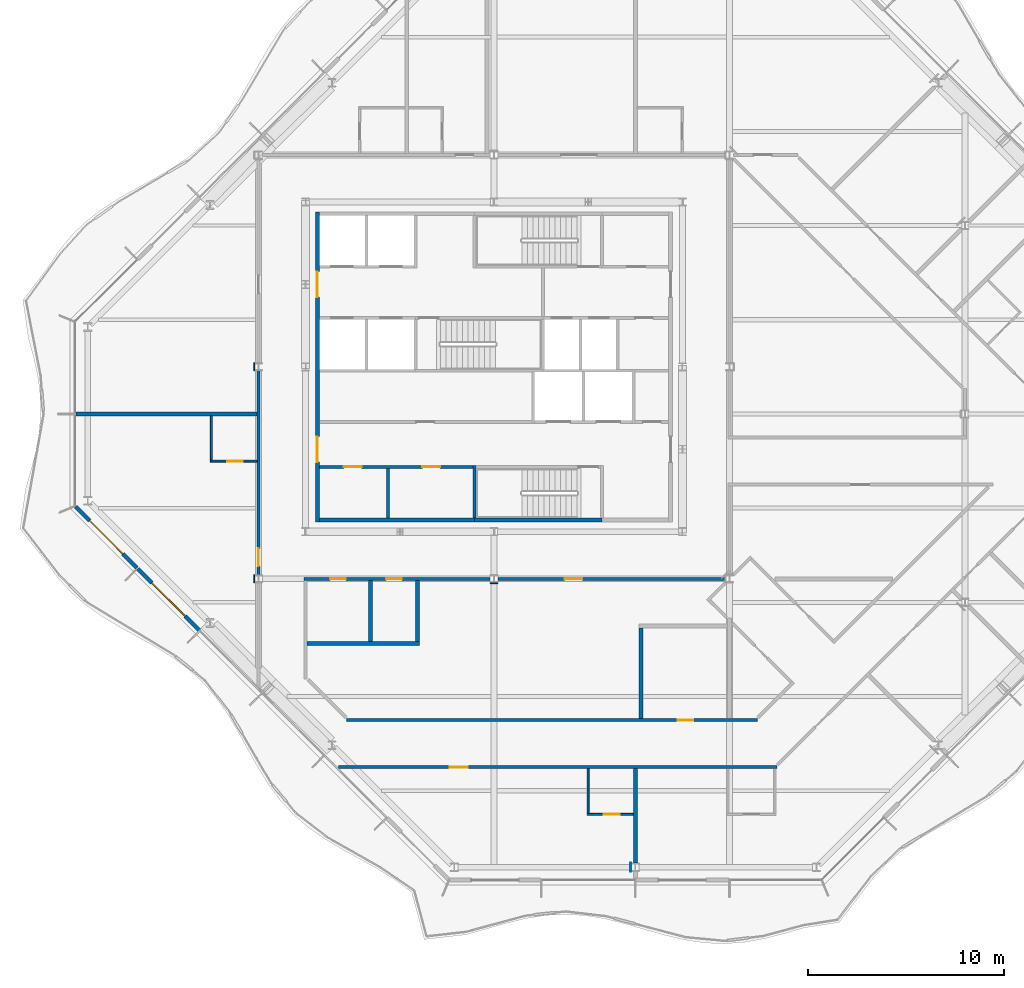
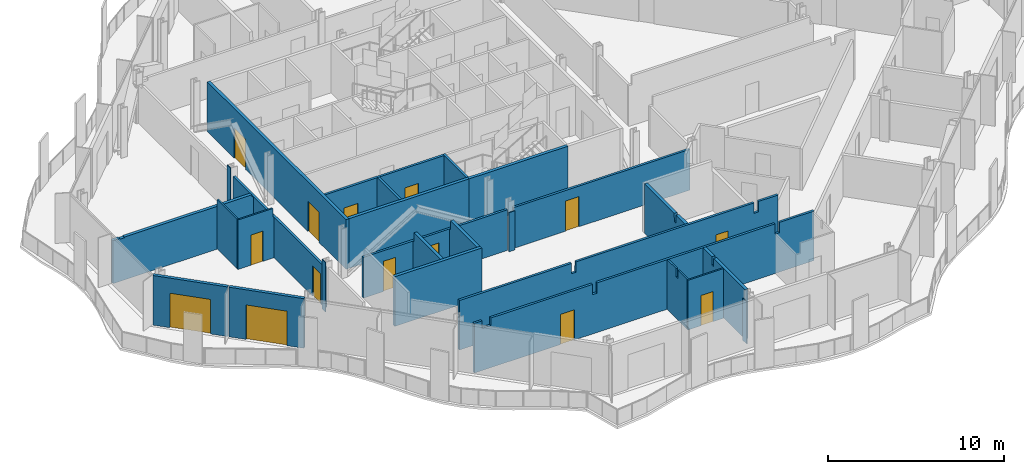
# One storey, part 7 of 17: 27 walls, 14 doors, 14 openings.
"""IFC4 building model written with IfcOpenShell, lengths in metres."""

import ifcopenshell
import ifcopenshell.guid

model = None  # the IFC model being written
_history = None  # IfcOwnerHistory: only IFC2X3 demands one
_inside = {}  # id of a spatial element -> (the spatial element, [elements in it])
_under = {}  # id of a project, library or spatial element -> (it, [spatial elements below it])
_declared = {}  # id of a project -> (the project, [libraries it declares])
_typed = {}  # id of a type object -> (the type object, [elements of that type])
_made_of = {}  # id of a material, layer set ... -> (it, [elements and type objects made of it])


def new_model(schema):
    """Start an empty IFC model of exactly this schema.

    Asked for "IFC4X3", IfcOpenShell would pick the latest addendum, in which some entities
    have other attributes; the version numbers below select the first issue.
    IFC2X3 requires an IfcOwnerHistory on every rooted entity: one is made here for all.
    """
    global model, _history
    if schema == "IFC4X3":
        model = ifcopenshell.file(schema_version=(4, 3, 0, 0))
    else:
        model = ifcopenshell.file(schema=schema)
    _inside.clear()
    _under.clear()
    _declared.clear()
    _typed.clear()
    _made_of.clear()
    _history = None
    if model.schema == "IFC2X3":
        org = make("IfcOrganization", Name="unknown")
        user = make(
            "IfcPersonAndOrganization",
            ThePerson=make("IfcPerson", FamilyName="unknown"),
            TheOrganization=org,
        )
        app = make(
            "IfcApplication",
            ApplicationDeveloper=org,
            Version="unknown",
            ApplicationFullName="unknown",
            ApplicationIdentifier="unknown",
        )
        _history = make(
            "IfcOwnerHistory",
            OwningUser=user,
            OwningApplication=app,
            ChangeAction="ADDED",
            CreationDate=0,
        )
    return model


def make(cls, **values):
    """One entity of the class cls with the attributes given. An attribute that is None is left unset."""
    return model.create_entity(
        cls, **{name: value for name, value in values.items() if value is not None}
    )


def rooted(cls, **values):
    """An entity with a GlobalId (a new one), such as an element, a storey or a relation."""
    return make(cls, GlobalId=ifcopenshell.guid.new(), OwnerHistory=_history, **values)


def si_unit(unit_type, name, prefix=None):
    """IfcSIUnit, for example si_unit("LENGTHUNIT", "METRE", prefix="MILLI")."""
    return make("IfcSIUnit", UnitType=unit_type, Prefix=prefix, Name=name)


def assignment(units):
    """IfcUnitAssignment: the units of a project."""
    return None if units is None else make("IfcUnitAssignment", Units=units)


def point(xyz):
    """IfcCartesianPoint."""
    return None if xyz is None else make("IfcCartesianPoint", Coordinates=xyz)


def direction(xyz):
    """IfcDirection."""
    return None if xyz is None else make("IfcDirection", DirectionRatios=xyz)


def frame(location, z_axis=None, x_axis=None):
    """IfcAxis2Placement3D, a coordinate frame: its origin and axes. An axis left out is left unset."""
    return make(
        "IfcAxis2Placement3D",
        Location=point(location),
        Axis=direction(z_axis),
        RefDirection=direction(x_axis),
    )


def frame_2d(location, x_axis=None):
    """IfcAxis2Placement2D, a coordinate frame in the plane: its origin and x axis."""
    return make(
        "IfcAxis2Placement2D", Location=point(location), RefDirection=direction(x_axis)
    )


def origin():
    """The frame at (0, 0, 0) with its axes left unset."""
    return frame((0.0, 0.0, 0.0))


def place(relative_to, where):
    """IfcLocalPlacement: puts the frame where relative to a parent placement (None: the world)."""
    return make(
        "IfcLocalPlacement", PlacementRelTo=relative_to, RelativePlacement=where
    )


def context(
    kind, dimensions, precision=None, world=None, true_north=None, identifier=None
):
    """IfcGeometricRepresentationContext, for example the 3D "Model" context."""
    return make(
        "IfcGeometricRepresentationContext",
        ContextIdentifier=identifier,
        ContextType=kind,
        CoordinateSpaceDimension=dimensions,
        Precision=precision,
        WorldCoordinateSystem=world,
        TrueNorth=true_north,
    )


def subcontext(parent, identifier, kind, view, scale=None):
    """IfcGeometricRepresentationSubContext, for example "Body" below "Model"."""
    return make(
        "IfcGeometricRepresentationSubContext",
        ContextIdentifier=identifier,
        ContextType=kind,
        ParentContext=parent,
        TargetScale=scale,
        TargetView=view,
    )


def project(units=None, contexts=None):
    """IfcProject with its units and contexts."""
    return rooted(
        "IfcProject",
        Name="project",
        RepresentationContexts=contexts,
        UnitsInContext=assignment(units),
    )


def spatial(cls, under=None, at=None, **own):
    """A site, building, storey or space (cls), placed at a placement, below another one or the project."""
    s = rooted(cls, ObjectPlacement=at, **own)
    if under is not None:
        _under.setdefault(under.id(), (under, []))[1].append(s)
    return s


def polyline(points):
    """IfcPolyline through the points."""
    return make("IfcPolyline", Points=[point(p) for p in points])


def profile(cls, at=None, kind="AREA", **sizes):
    """A parametric profile (cls). Its sizes go by their IFC names, for example OverallWidth=200.0."""
    return make(cls, ProfileType=kind, Position=at, **sizes)


def rectangle(**sizes):
    """IfcRectangleProfileDef."""
    return profile("IfcRectangleProfileDef", **sizes)


def outline(outer, holes=None, kind="AREA"):
    """IfcArbitraryClosedProfileDef: a profile drawn as a closed curve; with holes, ...WithVoids."""
    if holes is None:
        return make("IfcArbitraryClosedProfileDef", ProfileType=kind, OuterCurve=outer)
    return make(
        "IfcArbitraryProfileDefWithVoids",
        ProfileType=kind,
        OuterCurve=outer,
        InnerCurves=holes,
    )


def extrude(swept, where, along, depth):
    """IfcExtrudedAreaSolid: the profile swept, set in the frame where, extruded along a direction by depth."""
    return make(
        "IfcExtrudedAreaSolid",
        SweptArea=swept,
        Position=where,
        ExtrudedDirection=direction(along),
        Depth=depth,
    )


def shape(context_of_items, identifier, shape_type, items):
    """IfcShapeRepresentation: the items that make up one representation, for example the "Body"."""
    return make(
        "IfcShapeRepresentation",
        ContextOfItems=context_of_items,
        RepresentationIdentifier=identifier,
        RepresentationType=shape_type,
        Items=items,
    )


def material(Name=None, Category=None):
    """IfcMaterial."""
    return make("IfcMaterial", Name=Name, Category=Category)


def layer(
    of_material, thickness, ventilated=None, Name=None, Category=None, Priority=None
):
    """IfcMaterialLayer: one layer of a wall or slab, of a material (None: an air gap)."""
    return make(
        "IfcMaterialLayer",
        Material=of_material,
        LayerThickness=thickness,
        IsVentilated=ventilated,
        Name=Name,
        Category=Category,
        Priority=Priority,
    )


def layer_set(layers, Name=None):
    """IfcMaterialLayerSet."""
    return make("IfcMaterialLayerSet", MaterialLayers=layers, LayerSetName=Name)


def made_of(thing, what):
    """Note that an element or type object is made of a material, layer set ...; save() writes the relation."""
    if what is not None:
        _made_of.setdefault(what.id(), (what, []))[1].append(thing)
    return thing


def type_object(cls, material=None, **own):
    """A type object (cls), such as IfcWallType, which elements share."""
    return made_of(rooted(cls, **own), material)


def element(
    cls,
    number,
    at=None,
    inside=None,
    cuts=None,
    type_object=None,
    material=None,
    context=None,
    identifier="Body",
    shape_type=None,
    held_by="IfcProductDefinitionShape",
    body=None,
    shapes=None,
    **own,
):
    """One element of the class cls, such as IfcWall. Its Tag is "e" and its number.

    at: its placement. inside: the storey or other place that contains it. cuts: it is an
    opening in that element (IfcRelVoidsElement). A single representation is given by context,
    identifier, shape_type and body (its items); several are given by shapes. held_by: the class
    of the entity that holds the representations. save() writes the other relations.
    """
    e = rooted(cls, Tag="e%d" % number, ObjectPlacement=at, **own)
    if body is not None:
        shapes = [shape(context, identifier, shape_type, body)]
    if shapes is not None:
        e.Representation = make(held_by, Representations=shapes)
    if inside is not None:
        _inside.setdefault(inside.id(), (inside, []))[1].append(e)
    if cuts is not None:
        rooted(
            "IfcRelVoidsElement", RelatingBuildingElement=cuts, RelatedOpeningElement=e
        )
    if type_object is not None:
        _typed.setdefault(type_object.id(), (type_object, []))[1].append(e)
    return made_of(e, material)


def fill(opening, filler):
    """IfcRelFillsElement: the door or window that sits in an opening."""
    return rooted(
        "IfcRelFillsElement",
        RelatingOpeningElement=opening,
        RelatedBuildingElement=filler,
    )


def aggregate(whole, parts):
    """IfcRelAggregates: a whole, such as a stair, and the parts it consists of."""
    return rooted("IfcRelAggregates", RelatingObject=whole, RelatedObjects=parts)


def save(model, path):
    """Write the relations noted so far, then the file.

    IfcRelAggregates (storeys below a building ...), IfcRelContainedInSpatialStructure (elements
    in a storey), IfcRelDefinesByType, IfcRelAssociatesMaterial and IfcRelDeclares: one each for
    every whole, place, type object, material and project.
    """
    for whole, parts in _under.values():
        aggregate(whole, parts)
    for where, things in _inside.values():
        rooted(
            "IfcRelContainedInSpatialStructure",
            RelatedElements=things,
            RelatingStructure=where,
        )
    for kind, things in _typed.values():
        rooted("IfcRelDefinesByType", RelatedObjects=things, RelatingType=kind)
    for what, things in _made_of.values():
        rooted("IfcRelAssociatesMaterial", RelatedObjects=things, RelatingMaterial=what)
    for by, libraries in _declared.values():
        rooted("IfcRelDeclares", RelatingContext=by, RelatedDefinitions=libraries)
    model.write(path)


model = new_model("IFC4")

# Units and contexts
model_context = context("Model", 3, precision=1e-05, world=origin(), true_north=direction((0.0, 1.0)))
body_context = subcontext(model_context, "Body", "Model", "MODEL_VIEW")
ifc_project = project(units=[si_unit("LENGTHUNIT", "METRE"), si_unit("AREAUNIT", "SQUARE_METRE"), si_unit("VOLUMEUNIT", "CUBIC_METRE"), si_unit("PLANEANGLEUNIT", "RADIAN"), si_unit("MASSUNIT", "GRAM", prefix="KILO")], contexts=[model_context])

# Site, building, storey
site_placement = place(None, origin())
site = spatial("IfcSite", under=ifc_project, at=site_placement, CompositionType="ELEMENT")
building_placement = place(site_placement, origin())
building = spatial("IfcBuilding", under=site, at=building_placement, Name="Cairn Pilgrim Tower", CompositionType="ELEMENT")
storey_placement = place(building_placement, frame((0.0, 0.0, 232.199951171875)))
storey = spatial("IfcBuildingStorey", under=building, at=storey_placement, Name="L59", CompositionType="ELEMENT", Elevation=232.199951171875)

# Wall, opening, door
ifc_material_1 = material(Name="Bronze anodised aluminium insulated sandwich panel with mineral wool fill", Category="aluminium")
ifc_layer_1 = layer(ifc_material_1, 0.199951171875)
ifc_layer_set_1 = layer_set([ifc_layer_1], Name="BRONZE INFILL FRAME WALL 200")
wall_type_1 = type_object("IfcWallType", Name="BRONZE INFILL FRAME WALL 200", PredefinedType="NOTDEFINED", material=ifc_layer_set_1)
wall_1_placement = place(storey_placement, frame((-14.121826171875, -4.724609375, 0.0), z_axis=(0.0, 0.0, 1.0), x_axis=(0.707106781187, -0.707106781187, 0.0)))
wall_1 = element("IfcWall", 1, at=wall_1_placement, inside=storey, type_object=wall_type_1, Name="Bronze infill frame wall IW-SW1", PredefinedType="NOTDEFINED", context=body_context, shape_type="SweptSolid", body=[
    extrude(rectangle(XDim=4.421142578125, YDim=0.199951171875, at=frame_2d((2.21044921875, 0.0))), origin(), (0.0, 0.0, 1.0), 3.449951171875),
])
opening_1_placement = place(wall_1_placement, frame((1.00537109375, 0.0, 0.0)))
opening_1 = element("IfcOpeningElement", 2, at=opening_1_placement, cuts=wall_1, Name="Opening 5912B2", PredefinedType="OPENING", context=body_context, shape_type="SweptSolid", body=[
    extrude(rectangle(XDim=2.39990234375, YDim=2.39990234375, at=frame_2d((1.199951171875, 1.199951171875))), frame((0.0, 0.10986328125, 0.0), z_axis=(0.0, -1.0, 0.0), x_axis=(1.0, 0.0, 0.0)), (0.0, 0.0, 1.0), 0.219970703125),
])
ifc_material_2 = material(Name="Bronze anodised aluminium frame with tinted low-E glass", Category="aluminium")
door_type_1 = type_object("IfcDoorType", Name="BALCONY SLIDING DOOR 2400x2400", OperationType="DOUBLE_DOOR_SLIDING", PredefinedType="DOOR", material=ifc_material_2)
door_1_placement = place(opening_1_placement, origin())
door_1 = element("IfcDoor", 3, at=door_1_placement, inside=storey, type_object=door_type_1, Name="Balcony sliding door 5912B2", OperationType="SINGLE_SWING_LEFT", OverallHeight=2.39990234375, OverallWidth=2.39990234375, PredefinedType="DOOR", context=body_context, shape_type="SweptSolid", body=[
    extrude(rectangle(XDim=2.39990234375, YDim=2.39990234375, at=frame_2d((1.199951171875, 1.199951171875))), frame((0.0, 0.02490234375, 0.0), z_axis=(0.0, -1.0, 0.0), x_axis=(1.0, 0.0, 0.0)), (0.0, 0.0, 1.0), 0.050048828125),
])
fill(opening_1, door_1)

wall_2_placement = place(storey_placement, frame((-10.953125, -7.893310546875, 0.0), z_axis=(0.0, 0.0, 1.0), x_axis=(0.707106781187, -0.707106781187, 0.0)))
wall_2 = element("IfcWall", 4, at=wall_2_placement, inside=storey, type_object=wall_type_1, Name="Bronze infill frame wall IW-SW2", PredefinedType="NOTDEFINED", context=body_context, shape_type="SweptSolid", body=[
    extrude(rectangle(XDim=4.430908203125, YDim=0.199951171875, at=frame_2d((2.21533203125, 0.0))), origin(), (0.0, 0.0, 1.0), 3.449951171875),
])
opening_2_placement = place(wall_2_placement, frame((1.015380859375, 0.0, 0.0)))
opening_2 = element("IfcOpeningElement", 5, at=opening_2_placement, cuts=wall_2, Name="Opening 5912B", PredefinedType="OPENING", context=body_context, shape_type="SweptSolid", body=[
    extrude(rectangle(XDim=2.39990234375, YDim=2.39990234375, at=frame_2d((1.199951171875, 1.199951171875))), frame((0.0, 0.10986328125, 0.0), z_axis=(0.0, -1.0, 0.0), x_axis=(1.0, 0.0, 0.0)), (0.0, 0.0, 1.0), 0.219970703125),
])
door_2_placement = place(opening_2_placement, origin())
door_2 = element("IfcDoor", 6, at=door_2_placement, inside=storey, type_object=door_type_1, Name="Balcony sliding door 5912B", OperationType="SINGLE_SWING_LEFT", OverallHeight=2.39990234375, OverallWidth=2.39990234375, PredefinedType="DOOR", context=body_context, shape_type="SweptSolid", body=[
    extrude(rectangle(XDim=2.39990234375, YDim=2.39990234375, at=frame_2d((1.199951171875, 1.199951171875))), frame((0.0, 0.02490234375, 0.0), z_axis=(0.0, -1.0, 0.0), x_axis=(1.0, 0.0, 0.0)), (0.0, 0.0, 1.0), 0.050048828125),
])
fill(opening_2, door_2)

# Wall
ifc_material_3 = material(Name="Concrete C32/40", Category="concrete")
ifc_layer_2 = layer(ifc_material_3, 0.199951171875)
ifc_layer_set_2 = layer_set([ifc_layer_2], Name="CORE OUTER WALL 200 EI 120")
wall_type_2 = type_object("IfcWallType", Name="CORE OUTER WALL 200 EI 120", PredefinedType="SOLIDWALL", material=ifc_layer_set_2)
wall_3_placement = place(storey_placement, frame((-1.699951171875, -5.39990234375, 0.0), z_axis=(0.0, 0.0, 1.0), x_axis=(1.0, 0.0, 0.0)))
element("IfcWall", 7, at=wall_3_placement, inside=storey, type_object=wall_type_2, Name="CW:L59:H01-1", PredefinedType="SOLIDWALL", context=body_context, shape_type="SweptSolid", body=[
    extrude(rectangle(XDim=7.89990234375, YDim=0.199951171875, at=frame_2d((3.949951171875, 0.0))), origin(), (0.0, 0.0, 1.0), 3.449951171875),
])

# Wall, openings, doors
wall_4_placement = place(storey_placement, frame((-1.800048828125, -5.5, 0.0), z_axis=(0.0, 0.0, 1.0), x_axis=(0.0, 1.0, 0.0)))
wall_4 = element("IfcWall", 8, at=wall_4_placement, inside=storey, type_object=wall_type_2, Name="CW:L59:V13", PredefinedType="SOLIDWALL", context=body_context, shape_type="SweptSolid", body=[
    extrude(rectangle(XDim=15.800048828125, YDim=0.199951171875, at=frame_2d((7.89990234375, 0.0))), origin(), (0.0, 0.0, 1.0), 3.449951171875),
])
opening_3_placement = place(wall_4_placement, frame((3.050048828125, 0.0, 0.0)))
opening_3 = element("IfcOpeningElement", 9, at=opening_3_placement, cuts=wall_4, Name="Opening CD-W1", PredefinedType="OPENING", context=body_context, shape_type="SweptSolid", body=[
    extrude(rectangle(XDim=1.300048828125, YDim=2.10009765625, at=frame_2d((0.64990234375, 1.050048828125))), frame((0.0, 0.10986328125, 0.0), z_axis=(0.0, -1.0, 0.0), x_axis=(1.0, 0.0, 0.0)), (0.0, 0.0, 1.0), 0.219970703125),
])
opening_4_placement = place(wall_4_placement, frame((11.449951171875, 0.0, 0.0)))
opening_4 = element("IfcOpeningElement", 10, at=opening_4_placement, cuts=wall_4, Name="Opening CD-W2", PredefinedType="OPENING", context=body_context, shape_type="SweptSolid", body=[
    extrude(rectangle(XDim=1.300048828125, YDim=2.10009765625, at=frame_2d((0.64990234375, 1.050048828125))), frame((0.0, 0.10986328125, 0.0), z_axis=(0.0, -1.0, 0.0), x_axis=(1.0, 0.0, 0.0)), (0.0, 0.0, 1.0), 0.219970703125),
])
ifc_material_4 = material(Name="Painted steel", Category="steel")
door_type_2 = type_object("IfcDoorType", Name="CORE LOBBY DOOR 1300x2100", OperationType="DOUBLE_DOOR_SINGLE_SWING", PredefinedType="DOOR", material=ifc_material_4)
door_3_placement = place(opening_3_placement, origin())
door_3 = element("IfcDoor", 11, at=door_3_placement, inside=storey, type_object=door_type_2, Name="CD-W1", OperationType="DOUBLE_DOOR_SINGLE_SWING", OverallHeight=2.10009765625, OverallWidth=1.300048828125, PredefinedType="DOOR", context=body_context, shape_type="SweptSolid", body=[
    extrude(rectangle(XDim=1.300048828125, YDim=2.10009765625, at=frame_2d((0.64990234375, 1.050048828125))), frame((0.0, 0.02490234375, 0.0), z_axis=(0.0, -1.0, 0.0), x_axis=(1.0, 0.0, 0.0)), (0.0, 0.0, 1.0), 0.050048828125),
])
fill(opening_3, door_3)
door_4_placement = place(opening_4_placement, origin())
door_4 = element("IfcDoor", 12, at=door_4_placement, inside=storey, type_object=door_type_2, Name="CD-W2", OperationType="DOUBLE_DOOR_SINGLE_SWING", OverallHeight=2.10009765625, OverallWidth=1.300048828125, PredefinedType="DOOR", context=body_context, shape_type="SweptSolid", body=[
    extrude(rectangle(XDim=1.300048828125, YDim=2.10009765625, at=frame_2d((0.64990234375, 1.050048828125))), frame((0.0, 0.02490234375, 0.0), z_axis=(0.0, -1.0, 0.0), x_axis=(1.0, 0.0, 0.0)), (0.0, 0.0, 1.0), 0.050048828125),
])
fill(opening_4, door_4)

ifc_layer_3 = layer(ifc_material_3, 0.14990234375)
ifc_layer_set_3 = layer_set([ifc_layer_3], Name="CORE PARTITION 150 EI 60")
wall_type_3 = type_object("IfcWallType", Name="CORE PARTITION 150 EI 60", PredefinedType="PARTITIONING", material=ifc_layer_set_3)
wall_5_placement = place(storey_placement, frame((-1.699951171875, -2.699951171875, 0.0), z_axis=(0.0, 0.0, 1.0), x_axis=(1.0, 0.0, 0.0)))
wall_5 = element("IfcWall", 13, at=wall_5_placement, inside=storey, type_object=wall_type_3, Name="CW:L59:H02", PredefinedType="PARTITIONING", context=body_context, shape_type="SweptSolid", body=[
    extrude(rectangle(XDim=7.824951171875, YDim=0.14990234375, at=frame_2d((3.91259765625, 0.0))), origin(), (0.0, 0.0, 1.0), 3.449951171875),
])
opening_5_placement = place(wall_5_placement, frame((1.25, 0.0, 0.0)))
opening_5 = element("IfcOpeningElement", 14, at=opening_5_placement, cuts=wall_5, Name="Opening RD-R1W1", PredefinedType="OPENING", context=body_context, shape_type="SweptSolid", body=[
    extrude(rectangle(XDim=0.89990234375, YDim=2.10009765625, at=frame_2d((0.449951171875, 1.050048828125))), frame((0.0, 0.0849609375, 0.0), z_axis=(0.0, -1.0, 0.0), x_axis=(1.0, 0.0, 0.0)), (0.0, 0.0, 1.0), 0.169921875),
])
opening_6_placement = place(wall_5_placement, frame((5.25, 0.0, 0.0)))
opening_6 = element("IfcOpeningElement", 15, at=opening_6_placement, cuts=wall_5, Name="Opening RD-R1W2", PredefinedType="OPENING", context=body_context, shape_type="SweptSolid", body=[
    extrude(rectangle(XDim=0.89990234375, YDim=2.10009765625, at=frame_2d((0.449951171875, 1.050048828125))), frame((0.0, 0.0849609375, 0.0), z_axis=(0.0, -1.0, 0.0), x_axis=(1.0, 0.0, 0.0)), (0.0, 0.0, 1.0), 0.169921875),
])
door_type_3 = type_object("IfcDoorType", Name="SERVICE ROOM DOOR 900x2100", OperationType="SINGLE_SWING_LEFT", PredefinedType="DOOR", material=ifc_material_4)
door_5_placement = place(opening_5_placement, origin())
door_5 = element("IfcDoor", 16, at=door_5_placement, inside=storey, type_object=door_type_3, Name="RD-R1W1", OperationType="SINGLE_SWING_RIGHT", OverallHeight=2.10009765625, OverallWidth=0.89990234375, PredefinedType="DOOR", context=body_context, shape_type="SweptSolid", body=[
    extrude(rectangle(XDim=0.89990234375, YDim=2.10009765625, at=frame_2d((0.449951171875, 1.050048828125))), frame((0.0, 0.02490234375, 0.0), z_axis=(0.0, -1.0, 0.0), x_axis=(1.0, 0.0, 0.0)), (0.0, 0.0, 1.0), 0.050048828125),
])
fill(opening_5, door_5)
door_6_placement = place(opening_6_placement, origin())
door_6 = element("IfcDoor", 17, at=door_6_placement, inside=storey, type_object=door_type_3, Name="RD-R1W2", OperationType="SINGLE_SWING_LEFT", OverallHeight=2.10009765625, OverallWidth=0.89990234375, PredefinedType="DOOR", context=body_context, shape_type="SweptSolid", body=[
    extrude(rectangle(XDim=0.89990234375, YDim=2.10009765625, at=frame_2d((0.449951171875, 1.050048828125))), frame((0.0, 0.02490234375, 0.0), z_axis=(0.0, -1.0, 0.0), x_axis=(1.0, 0.0, 0.0)), (0.0, 0.0, 1.0), 0.050048828125),
])
fill(opening_6, door_6)

# Wall
wall_6_placement = place(storey_placement, frame((1.800048828125, -5.300048828125, 0.0), z_axis=(0.0, 0.0, 1.0), x_axis=(0.0, 1.0, 0.0)))
element("IfcWall", 18, at=wall_6_placement, inside=storey, type_object=wall_type_3, Name="CW:L59:V16", PredefinedType="PARTITIONING", context=body_context, shape_type="SweptSolid", body=[
    extrude(rectangle(XDim=2.525146484375, YDim=0.14990234375, at=frame_2d((1.2626953125, 0.0))), origin(), (0.0, 0.0, 1.0), 3.449951171875),
])

# Wall, opening, door
ifc_material_5 = material(Name="Gypsum partition")
ifc_layer_4 = layer(ifc_material_5, 0.10009765625)
ifc_layer_set_4 = layer_set([ifc_layer_4], Name="PARTITION 100 DRYWALL")
wall_type_4 = type_object("IfcWallType", Name="PARTITION 100 DRYWALL", PredefinedType="PARTITIONING", material=ifc_layer_set_4)
wall_7_placement = place(storey_placement, frame((11.949951171875, -20.39990234375, 0.0), z_axis=(0.0, 0.0, 1.0), x_axis=(1.0, 0.0, 0.0)))
wall_7 = element("IfcWall", 19, at=wall_7_placement, inside=storey, type_object=wall_type_4, Name="PARTITION W003", PredefinedType="PARTITIONING", context=body_context, shape_type="SweptSolid", body=[
    extrude(rectangle(XDim=2.35009765625, YDim=0.10009765625, at=frame_2d((1.175048828125, 0.0))), origin(), (0.0, 0.0, 1.0), 3.449951171875),
])
opening_7_placement = place(wall_7_placement, frame((0.85009765625, 0.0, 0.0)))
opening_7 = element("IfcOpeningElement", 20, at=opening_7_placement, cuts=wall_7, Name="Opening 5913A", PredefinedType="OPENING", context=body_context, shape_type="SweptSolid", body=[
    extrude(rectangle(XDim=0.800048828125, YDim=2.10009765625, at=frame_2d((0.39990234375, 1.050048828125))), frame((0.0, 0.06005859375, 0.0), z_axis=(0.0, -1.0, 0.0), x_axis=(1.0, 0.0, 0.0)), (0.0, 0.0, 1.0), 0.1201171875),
])
ifc_material_6 = material(Name="Timber door leaf", Category="wood")
door_type_4 = type_object("IfcDoorType", Name="WC DOOR 800x2100", OperationType="NOTDEFINED", PredefinedType="DOOR", material=ifc_material_6)
door_7_placement = place(opening_7_placement, frame((0.800048828125, 0.0, 0.0), z_axis=(0.0, 0.0, 1.0), x_axis=(-1.0, 0.0, 0.0)))
door_7 = element("IfcDoor", 21, at=door_7_placement, inside=storey, type_object=door_type_4, Name="DOOR 5913A", OperationType="SINGLE_SWING_RIGHT", OverallHeight=2.10009765625, OverallWidth=0.800048828125, PredefinedType="DOOR", context=body_context, shape_type="SweptSolid", body=[
    extrude(rectangle(XDim=0.800048828125, YDim=2.10009765625, at=frame_2d((0.39990234375, 1.050048828125))), frame((0.0, 0.02490234375, 0.0), z_axis=(0.0, -1.0, 0.0), x_axis=(1.0, 0.0, 0.0)), (0.0, 0.0, 1.0), 0.050048828125),
])
fill(opening_7, door_7)

# Wall
wall_8_placement = place(storey_placement, frame((12.0, -20.35009765625, 0.0), z_axis=(0.0, 0.0, 1.0), x_axis=(0.0, 1.0, 0.0)))
element("IfcWall", 22, at=wall_8_placement, inside=storey, type_object=wall_type_4, Name="PARTITION W004", PredefinedType="PARTITIONING", context=body_context, shape_type="SweptSolid", body=[
    extrude(outline(polyline([(0.0, 0.0), (2.275146484375, 0.0), (2.27490234375, 3.449951171875), (1.2548828125, 3.449951171875), (1.2529296875, 2.880126953125), (1.044921875, 2.880126953125), (1.04296875, 3.449951171875), (0.0, 3.449951171875), (0.0, 0.0)])), frame((0.0, 0.050048828125, 0.0), z_axis=(0.0, -1.0, 0.0), x_axis=(1.0, 0.0, 0.0)), (0.0, 0.0, 1.0), 0.10009765625),
])

# Wall, opening, door
wall_9_placement = place(storey_placement, frame((-7.25, -2.39990234375, 0.0), z_axis=(0.0, 0.0, 1.0), x_axis=(1.0, 0.0, 0.0)))
wall_9 = element("IfcWall", 23, at=wall_9_placement, inside=storey, type_object=wall_type_4, Name="PARTITION W047", PredefinedType="PARTITIONING", context=body_context, shape_type="SweptSolid", body=[
    extrude(outline(polyline([(0.0, 0.0), (2.375, 0.0), (2.375, 2.830078125), (2.300048828125, 2.830078125), (2.298095703125, 3.449951171875), (0.0, 3.449951171875), (0.0, 0.0)])), frame((0.0, 0.050048828125, 0.0), z_axis=(0.0, -1.0, 0.0), x_axis=(1.0, 0.0, 0.0)), (0.0, 0.0, 1.0), 0.10009765625),
])
opening_8_placement = place(wall_9_placement, frame((0.85009765625, 0.0, 0.0)))
opening_8 = element("IfcOpeningElement", 24, at=opening_8_placement, cuts=wall_9, Name="Opening 5912A", PredefinedType="OPENING", context=body_context, shape_type="SweptSolid", body=[
    extrude(rectangle(XDim=0.800048828125, YDim=2.10009765625, at=frame_2d((0.39990234375, 1.050048828125))), frame((0.0, 0.06005859375, 0.0), z_axis=(0.0, -1.0, 0.0), x_axis=(1.0, 0.0, 0.0)), (0.0, 0.0, 1.0), 0.1201171875),
])
door_8_placement = place(opening_8_placement, frame((0.800048828125, 0.0, 0.0), z_axis=(0.0, 0.0, 1.0), x_axis=(-1.0, 0.0, 0.0)))
door_8 = element("IfcDoor", 25, at=door_8_placement, inside=storey, type_object=door_type_4, Name="DOOR 5912A", OperationType="SINGLE_SWING_RIGHT", OverallHeight=2.10009765625, OverallWidth=0.800048828125, PredefinedType="DOOR", context=body_context, shape_type="SweptSolid", body=[
    extrude(rectangle(XDim=0.800048828125, YDim=2.10009765625, at=frame_2d((0.39990234375, 1.050048828125))), frame((0.0, 0.02490234375, 0.0), z_axis=(0.0, -1.0, 0.0), x_axis=(1.0, 0.0, 0.0)), (0.0, 0.0, 1.0), 0.050048828125),
])
fill(opening_8, door_8)

# Wall
wall_10_placement = place(storey_placement, frame((-7.199951171875, -2.35009765625, 0.0), z_axis=(0.0, 0.0, 1.0), x_axis=(0.0, 1.0, 0.0)))
element("IfcWall", 26, at=wall_10_placement, inside=storey, type_object=wall_type_4, Name="PARTITION W048", PredefinedType="PARTITIONING", context=body_context, shape_type="SweptSolid", body=[
    extrude(rectangle(XDim=2.25, YDim=0.10009765625, at=frame_2d((1.125, 0.0))), origin(), (0.0, 0.0, 1.0), 3.449951171875),
])

# Wall, opening, door
ifc_layer_5 = layer(ifc_material_5, 0.14990234375)
ifc_layer_set_5 = layer_set([ifc_layer_5], Name="PARTITION 150 DRYWALL EI 60")
wall_type_5 = type_object("IfcWallType", Name="PARTITION 150 DRYWALL EI 60", PredefinedType="PARTITIONING", material=ifc_layer_set_5)
wall_11_placement = place(storey_placement, frame((-0.72607421875, -18.0, 0.0), z_axis=(0.0, 0.0, 1.0), x_axis=(1.0, 0.0, 0.0)))
wall_11 = element("IfcWall", 27, at=wall_11_placement, inside=storey, type_object=wall_type_5, Name="PARTITION W008", PredefinedType="PARTITIONING", context=body_context, shape_type="SweptSolid", body=[
    extrude(outline(polyline([(0.0, 0.0), (22.34716796875, 0.0), (22.34716796875, 3.449951171875), (20.076171875, 3.449951171875), (20.07421875, 2.72998046875), (19.776123046875, 2.72998046875), (19.774169921875, 3.449951171875), (8.076171875, 3.449951171875), (8.07421875, 2.72998046875), (7.776123046875, 2.72998046875), (7.774169921875, 3.449951171875), (1.0859375, 3.449951171875), (1.083984375, 2.929931640625), (0.51171875, 2.929931640625), (0.509765625, 3.449951171875), (0.0, 3.449951171875), (0.0, 0.0)])), frame((0.0, 0.074951171875, 0.0), z_axis=(0.0, -1.0, 0.0), x_axis=(1.0, 0.0, 0.0)), (0.0, 0.0, 1.0), 0.14990234375),
])
opening_9_placement = place(wall_11_placement, frame((5.676025390625, 0.0, 0.0)))
opening_9 = element("IfcOpeningElement", 28, at=opening_9_placement, cuts=wall_11, Name="Opening 5913", PredefinedType="OPENING", context=body_context, shape_type="SweptSolid", body=[
    extrude(rectangle(XDim=0.89990234375, YDim=2.10009765625, at=frame_2d((0.449951171875, 1.050048828125))), frame((0.0, 0.0849609375, 0.0), z_axis=(0.0, -1.0, 0.0), x_axis=(1.0, 0.0, 0.0)), (0.0, 0.0, 1.0), 0.169921875),
])
door_type_5 = type_object("IfcDoorType", Name="ROOM DOOR 900x2100 FD30S", OperationType="NOTDEFINED", PredefinedType="DOOR", material=ifc_material_6)
door_9_placement = place(opening_9_placement, frame((0.89990234375, 0.0, 0.0), z_axis=(0.0, 0.0, 1.0), x_axis=(-1.0, 0.0, 0.0)))
door_9 = element("IfcDoor", 29, at=door_9_placement, inside=storey, type_object=door_type_5, Name="DOOR 5913", OperationType="SINGLE_SWING_RIGHT", OverallHeight=2.10009765625, OverallWidth=0.89990234375, PredefinedType="DOOR", context=body_context, shape_type="SweptSolid", body=[
    extrude(rectangle(XDim=0.89990234375, YDim=2.10009765625, at=frame_2d((0.449951171875, 1.050048828125))), frame((0.0, 0.02490234375, 0.0), z_axis=(0.0, -1.0, 0.0), x_axis=(1.0, 0.0, 0.0)), (0.0, 0.0, 1.0), 0.050048828125),
])
fill(opening_9, door_9)

wall_12_placement = place(storey_placement, frame((-0.31201171875, -15.60009765625, 0.0), z_axis=(0.0, 0.0, 1.0), x_axis=(1.0, 0.0, 0.0)))
wall_12 = element("IfcWall", 30, at=wall_12_placement, inside=storey, type_object=wall_type_5, Name="PARTITION W012", PredefinedType="PARTITIONING", context=body_context, shape_type="SweptSolid", body=[
    extrude(outline(polyline([(0.0, 0.0), (20.93896484375, 0.0), (20.939208984375, 3.449951171875), (19.662109375, 3.449951171875), (19.66015625, 2.72998046875), (19.362060546875, 2.72998046875), (19.360107421875, 3.449951171875), (7.662109375, 3.449951171875), (7.66015625, 2.72998046875), (7.362060546875, 2.72998046875), (7.360107421875, 3.449951171875), (0.0, 3.449951171875), (0.0, 0.0)])), frame((0.0, 0.074951171875, 0.0), z_axis=(0.0, -1.0, 0.0), x_axis=(1.0, 0.0, 0.0)), (0.0, 0.0, 1.0), 0.14990234375),
])
opening_10_placement = place(wall_12_placement, frame((16.862060546875, 0.0, 0.0)))
opening_10 = element("IfcOpeningElement", 31, at=opening_10_placement, cuts=wall_12, Name="Opening 5916", PredefinedType="OPENING", context=body_context, shape_type="SweptSolid", body=[
    extrude(rectangle(XDim=0.800048828125, YDim=2.10009765625, at=frame_2d((0.39990234375, 1.050048828125))), frame((0.0, 0.0849609375, 0.0), z_axis=(0.0, -1.0, 0.0), x_axis=(1.0, 0.0, 0.0)), (0.0, 0.0, 1.0), 0.169921875),
])
door_type_6 = type_object("IfcDoorType", Name="WC DOOR 800x2100 FD30S", OperationType="NOTDEFINED", PredefinedType="DOOR", material=ifc_material_6)
door_10_placement = place(opening_10_placement, origin())
door_10 = element("IfcDoor", 32, at=door_10_placement, inside=storey, type_object=door_type_6, Name="DOOR 5916", OperationType="SINGLE_SWING_RIGHT", OverallHeight=2.10009765625, OverallWidth=0.800048828125, PredefinedType="DOOR", context=body_context, shape_type="SweptSolid", body=[
    extrude(rectangle(XDim=0.800048828125, YDim=2.10009765625, at=frame_2d((0.39990234375, 1.050048828125))), frame((0.0, 0.02490234375, 0.0), z_axis=(0.0, -1.0, 0.0), x_axis=(1.0, 0.0, 0.0)), (0.0, 0.0, 1.0), 0.050048828125),
])
fill(opening_10, door_10)

# Wall, openings, doors
wall_13_placement = place(storey_placement, frame((-2.47509765625, -8.39990234375, 0.0), z_axis=(0.0, 0.0, 1.0), x_axis=(1.0, 0.0, 0.0)))
wall_13 = element("IfcWall", 33, at=wall_13_placement, inside=storey, type_object=wall_type_5, Name="PARTITION W034", PredefinedType="PARTITIONING", context=body_context, shape_type="SweptSolid", body=[
    extrude(rectangle(XDim=9.4755859375, YDim=0.14990234375, at=frame_2d((4.73779296875, 0.0))), origin(), (0.0, 0.0, 1.0), 2.830078125),
])
opening_11_placement = place(wall_13_placement, frame((1.324951171875, 0.0, 0.0)))
opening_11 = element("IfcOpeningElement", 34, at=opening_11_placement, cuts=wall_13, Name="Opening 5914", PredefinedType="OPENING", context=body_context, shape_type="SweptSolid", body=[
    extrude(rectangle(XDim=0.800048828125, YDim=2.10009765625, at=frame_2d((0.39990234375, 1.050048828125))), frame((0.0, 0.0849609375, 0.0), z_axis=(0.0, -1.0, 0.0), x_axis=(1.0, 0.0, 0.0)), (0.0, 0.0, 1.0), 0.169921875),
])
opening_12_placement = place(wall_13_placement, frame((4.175048828125, 0.0, 0.0)))
opening_12 = element("IfcOpeningElement", 35, at=opening_12_placement, cuts=wall_13, Name="Opening 5915", PredefinedType="OPENING", context=body_context, shape_type="SweptSolid", body=[
    extrude(rectangle(XDim=0.800048828125, YDim=2.10009765625, at=frame_2d((0.39990234375, 1.050048828125))), frame((0.0, 0.0849609375, 0.0), z_axis=(0.0, -1.0, 0.0), x_axis=(1.0, 0.0, 0.0)), (0.0, 0.0, 1.0), 0.169921875),
])
door_11_placement = place(opening_11_placement, frame((0.800048828125, 0.0, 0.0), z_axis=(0.0, 0.0, 1.0), x_axis=(-1.0, 0.0, 0.0)))
door_11 = element("IfcDoor", 36, at=door_11_placement, inside=storey, type_object=door_type_6, Name="DOOR 5914", OperationType="SINGLE_SWING_RIGHT", OverallHeight=2.10009765625, OverallWidth=0.800048828125, PredefinedType="DOOR", context=body_context, shape_type="SweptSolid", body=[
    extrude(rectangle(XDim=0.800048828125, YDim=2.10009765625, at=frame_2d((0.39990234375, 1.050048828125))), frame((0.0, 0.02490234375, 0.0), z_axis=(0.0, -1.0, 0.0), x_axis=(1.0, 0.0, 0.0)), (0.0, 0.0, 1.0), 0.050048828125),
])
fill(opening_11, door_11)
door_12_placement = place(opening_12_placement, frame((0.800048828125, 0.0, 0.0), z_axis=(0.0, 0.0, 1.0), x_axis=(-1.0, 0.0, 0.0)))
door_12 = element("IfcDoor", 37, at=door_12_placement, inside=storey, type_object=door_type_6, Name="DOOR 5915", OperationType="SINGLE_SWING_RIGHT", OverallHeight=2.10009765625, OverallWidth=0.800048828125, PredefinedType="DOOR", context=body_context, shape_type="SweptSolid", body=[
    extrude(rectangle(XDim=0.800048828125, YDim=2.10009765625, at=frame_2d((0.39990234375, 1.050048828125))), frame((0.0, 0.02490234375, 0.0), z_axis=(0.0, -1.0, 0.0), x_axis=(1.0, 0.0, 0.0)), (0.0, 0.0, 1.0), 0.050048828125),
])
fill(opening_12, door_12)

# Wall, opening, door
wall_14_placement = place(storey_placement, frame((7.3994140625, -8.39990234375, 0.0), z_axis=(0.0, 0.0, 1.0), x_axis=(1.0, 0.0, 0.0)))
wall_14 = element("IfcWall", 38, at=wall_14_placement, inside=storey, type_object=wall_type_5, Name="PARTITION W035", PredefinedType="PARTITIONING", context=body_context, shape_type="SweptSolid", body=[
    extrude(rectangle(XDim=11.60107421875, YDim=0.14990234375, at=frame_2d((5.800537109375, 0.0))), origin(), (0.0, 0.0, 1.0), 2.830078125),
])
opening_13_placement = place(wall_14_placement, frame((3.400390625, 0.0, 0.0)))
opening_13 = element("IfcOpeningElement", 39, at=opening_13_placement, cuts=wall_14, Name="Opening 5921", PredefinedType="OPENING", context=body_context, shape_type="SweptSolid", body=[
    extrude(rectangle(XDim=0.89990234375, YDim=2.10009765625, at=frame_2d((0.449951171875, 1.050048828125))), frame((0.0, 0.0849609375, 0.0), z_axis=(0.0, -1.0, 0.0), x_axis=(1.0, 0.0, 0.0)), (0.0, 0.0, 1.0), 0.169921875),
])
door_type_7 = type_object("IfcDoorType", Name="SERVICE DOOR 900x2100 FD30S", OperationType="NOTDEFINED", PredefinedType="DOOR", material=ifc_material_6)
door_13_placement = place(opening_13_placement, frame((0.89990234375, 0.0, 0.0), z_axis=(0.0, 0.0, 1.0), x_axis=(-1.0, 0.0, 0.0)))
door_13 = element("IfcDoor", 40, at=door_13_placement, inside=storey, type_object=door_type_7, Name="DOOR 5921", OperationType="SINGLE_SWING_LEFT", OverallHeight=2.10009765625, OverallWidth=0.89990234375, PredefinedType="DOOR", context=body_context, shape_type="SweptSolid", body=[
    extrude(rectangle(XDim=0.89990234375, YDim=2.10009765625, at=frame_2d((0.449951171875, 1.050048828125))), frame((0.0, 0.02490234375, 0.0), z_axis=(0.0, -1.0, 0.0), x_axis=(1.0, 0.0, 0.0)), (0.0, 0.0, 1.0), 0.050048828125),
])
fill(opening_13, door_13)

wall_15_placement = place(storey_placement, frame((-4.800048828125, -8.20361328125, 0.0), z_axis=(0.0, 0.0, 1.0), x_axis=(0.0, 1.0, 0.0)))
wall_15 = element("IfcWall", 41, at=wall_15_placement, inside=storey, type_object=wall_type_5, Name="PARTITION W038", PredefinedType="PARTITIONING", context=body_context, shape_type="SweptSolid", body=[
    extrude(rectangle(XDim=10.4072265625, YDim=0.14990234375, at=frame_2d((5.20361328125, 0.0))), origin(), (0.0, 0.0, 1.0), 2.830078125),
])
opening_14_placement = place(wall_15_placement, frame((0.45361328125, 0.0, 0.0)))
opening_14 = element("IfcOpeningElement", 42, at=opening_14_placement, cuts=wall_15, Name="Opening 5912", PredefinedType="OPENING", context=body_context, shape_type="SweptSolid", body=[
    extrude(rectangle(XDim=0.89990234375, YDim=2.10009765625, at=frame_2d((0.449951171875, 1.050048828125))), frame((0.0, 0.0849609375, 0.0), z_axis=(0.0, -1.0, 0.0), x_axis=(1.0, 0.0, 0.0)), (0.0, 0.0, 1.0), 0.169921875),
])
door_14_placement = place(opening_14_placement, origin())
door_14 = element("IfcDoor", 43, at=door_14_placement, inside=storey, type_object=door_type_5, Name="DOOR 5912", OperationType="SINGLE_SWING_RIGHT", OverallHeight=2.10009765625, OverallWidth=0.89990234375, PredefinedType="DOOR", context=body_context, shape_type="SweptSolid", body=[
    extrude(rectangle(XDim=0.89990234375, YDim=2.10009765625, at=frame_2d((0.449951171875, 1.050048828125))), frame((0.0, 0.02490234375, 0.0), z_axis=(0.0, -1.0, 0.0), x_axis=(1.0, 0.0, 0.0)), (0.0, 0.0, 1.0), 0.050048828125),
])
fill(opening_14, door_14)

# Walls
ifc_layer_6 = layer(ifc_material_5, 0.050048828125)
ifc_layer_set_6 = layer_set([ifc_layer_6], Name="PARTITION 50 DRYWALL EI 60")
wall_type_6 = type_object("IfcWallType", Name="PARTITION 50 DRYWALL EI 60", PredefinedType="PARTITIONING", material=ifc_layer_set_6)
wall_16_placement = place(storey_placement, frame((14.1669921875, -23.322998046875, 0.0), z_axis=(0.0, 0.0, 1.0), x_axis=(0.0, 1.0, 0.0)))
element("IfcWall", 44, at=wall_16_placement, inside=storey, type_object=wall_type_6, Name="COLUMN CASING WC01", PredefinedType="PARTITIONING", context=body_context, shape_type="SweptSolid", body=[
    extrude(rectangle(XDim=0.446044921875, YDim=0.050048828125, at=frame_2d((0.22314453125, 0.0))), origin(), (0.0, 0.0, 1.0), 2.929931640625),
])
for number, where, z_axis, x_axis, name in (
    (45, (-5.0244140625, -8.596435546875, 0.0), (0.0, 0.0, 1.0), (0.0, 1.0, 0.0), "COLUMN CASING WC03"),
    (46, (-5.0244140625, 2.20361328125, 0.0), (0.0, 0.0, 1.0), (0.0, 1.0, 0.0), "COLUMN CASING WC04"),
):
    element("IfcWall", number, at=place(storey_placement, frame(where, z_axis=z_axis, x_axis=x_axis)), inside=storey, type_object=wall_type_6, Name=name, PredefinedType="PARTITIONING", context=body_context, shape_type="SweptSolid", body=[
        extrude(rectangle(XDim=0.392822265625, YDim=0.050048828125, at=frame_2d((0.1962890625, 0.0))), origin(), (0.0, 0.0, 1.0), 3.449951171875),
    ])
wall_17_placement = place(storey_placement, frame((7.00048828125, -8.62158203125, 0.0), z_axis=(0.0, 0.0, 1.0), x_axis=(1.0, 0.0, 0.0)))
element("IfcWall", 47, at=wall_17_placement, inside=storey, type_object=wall_type_6, Name="COLUMN CASING WC09", PredefinedType="PARTITIONING", context=body_context, shape_type="SweptSolid", body=[
    extrude(rectangle(XDim=0.39892578125, YDim=0.050048828125, at=frame_2d((0.199462890625, 0.0))), origin(), (0.0, 0.0, 1.0), 2.72998046875),
])
ifc_layer_7 = layer(ifc_material_5, 0.199951171875)
ifc_layer_set_7 = layer_set([ifc_layer_7], Name="SHAFT WALL 200 GYPSUM EI 60")
wall_type_7 = type_object("IfcWallType", Name="SHAFT WALL 200 GYPSUM EI 60", PredefinedType="PARTITIONING", material=ifc_layer_set_7)
wall_18_placement = place(storey_placement, frame((14.39990234375, -22.876953125, 0.0), z_axis=(0.0, 0.0, 1.0), x_axis=(0.0, 1.0, 0.0)))
element("IfcWall", 48, at=wall_18_placement, inside=storey, type_object=wall_type_7, Name="PARTITION W002", PredefinedType="PARTITIONING", context=body_context, shape_type="SweptSolid", body=[
    extrude(outline(polyline([(0.0, 0.0), (4.802001953125, 0.0), (4.802001953125, 3.449951171875), (3.781982421875, 3.449951171875), (3.780029296875, 2.880126953125), (3.572021484375, 2.880126953125), (3.570068359375, 3.449951171875), (0.0, 3.449951171875), (0.0, 0.0)])), frame((0.0, 0.10009765625, 0.0), z_axis=(0.0, -1.0, 0.0), x_axis=(1.0, 0.0, 0.0)), (0.0, 0.0, 1.0), 0.199951171875),
])
wall_19_placement = place(storey_placement, frame((14.699951171875, -15.52490234375, 0.0), z_axis=(0.0, 0.0, 1.0), x_axis=(0.0, 1.0, 0.0)))
element("IfcWall", 49, at=wall_19_placement, inside=storey, type_object=wall_type_7, Name="PARTITION W014", PredefinedType="PARTITIONING", context=body_context, shape_type="SweptSolid", body=[
    extrude(outline(polyline([(0.0, 0.0), (4.625, 0.0), (4.625, 3.449951171875), (1.22998046875, 3.449951171875), (1.22802734375, 2.880126953125), (1.02001953125, 2.880126953125), (1.01806640625, 3.449951171875), (0.0, 3.449951171875), (0.0, 0.0)])), frame((0.0, 0.10009765625, 0.0), z_axis=(0.0, -1.0, 0.0), x_axis=(1.0, 0.0, 0.0)), (0.0, 0.0, 1.0), 0.199951171875),
])
wall_20_placement = place(storey_placement, frame((-2.324951171875, -11.699951171875, 0.0), z_axis=(0.0, 0.0, 1.0), x_axis=(1.0, 0.0, 0.0)))
element("IfcWall", 50, at=wall_20_placement, inside=storey, type_object=wall_type_7, Name="PARTITION W022", PredefinedType="PARTITIONING", context=body_context, shape_type="SweptSolid", body=[
    extrude(rectangle(XDim=5.724853515625, YDim=0.199951171875, at=frame_2d((2.8623046875, 0.0))), origin(), (0.0, 0.0, 1.0), 3.449951171875),
])
for number, where, z_axis, x_axis, name in (
    (51, (0.89990234375, -11.60009765625, 0.0), (0.0, 0.0, 1.0), (0.0, 1.0, 0.0), "PARTITION W024"),
    (52, (3.300048828125, -11.60009765625, 0.0), (0.0, 0.0, 1.0), (0.0, 1.0, 0.0), "PARTITION W025"),
):
    element("IfcWall", number, at=place(storey_placement, frame(where, z_axis=z_axis, x_axis=x_axis)), inside=storey, type_object=wall_type_7, Name=name, PredefinedType="PARTITIONING", context=body_context, shape_type="SweptSolid", body=[
        extrude(outline(polyline([(0.0, 0.0), (3.125, 0.0), (3.125, 2.830078125), (3.050048828125, 2.830078125), (3.048095703125, 3.449951171875), (0.0, 3.449951171875), (0.0, 0.0)])), frame((0.0, 0.10009765625, 0.0), z_axis=(0.0, -1.0, 0.0), x_axis=(1.0, 0.0, 0.0)), (0.0, 0.0, 1.0), 0.199951171875),
    ])
wall_21_placement = place(storey_placement, frame((-14.090087890625, 0.0, 0.0), z_axis=(0.0, 0.0, 1.0), x_axis=(1.0, 0.0, 0.0)))
element("IfcWall", 53, at=wall_21_placement, inside=storey, type_object=wall_type_7, Name="PARTITION W054", PredefinedType="PARTITIONING", context=body_context, shape_type="SweptSolid", body=[
    extrude(outline(polyline([(0.0, 0.0), (9.215087890625, 0.0), (9.215087890625, 2.830078125), (9.139892578125, 2.830078125), (9.137939453125, 2.97998046875), (0.739990234375, 2.97998046875), (0.738037109375, 2.929931640625), (0.43994140625, 2.929931640625), (0.43798828125, 2.97998046875), (0.0, 2.97998046875), (0.0, 0.0)])), frame((0.0, 0.10009765625, 0.0), z_axis=(0.0, -1.0, 0.0), x_axis=(1.0, 0.0, 0.0)), (0.0, 0.0, 1.0), 0.199951171875),
])
ifc_material_7 = material(Name="Concrete C35/45", Category="concrete")
ifc_layer_8 = layer(ifc_material_7, 0.14990234375)
ifc_layer_set_8 = layer_set([ifc_layer_8], Name="STAIR SHAFT WALL 150 EI 120")
wall_type_8 = type_object("IfcWallType", Name="STAIR SHAFT WALL 150 EI 120", PredefinedType="SOLIDWALL", material=ifc_layer_set_8)
wall_22_placement = place(storey_placement, frame((6.199951171875, -5.300048828125, 0.0), z_axis=(0.0, 0.0, 1.0), x_axis=(0.0, 1.0, 0.0)))
element("IfcWall", 54, at=wall_22_placement, inside=storey, type_object=wall_type_8, Name="CW:L59:V19", PredefinedType="SOLIDWALL", context=body_context, shape_type="SweptSolid", body=[
    extrude(rectangle(XDim=2.675048828125, YDim=0.14990234375, at=frame_2d((1.33740234375, 0.0))), origin(), (0.0, 0.0, 1.0), 3.449951171875),
])
ifc_layer_9 = layer(ifc_material_7, 0.199951171875)
ifc_layer_set_9 = layer_set([ifc_layer_9], Name="STAIR SHAFT WALL 200 EI 120")
wall_type_9 = type_object("IfcWallType", Name="STAIR SHAFT WALL 200 EI 120", PredefinedType="SOLIDWALL", material=ifc_layer_set_9)
wall_23_placement = place(storey_placement, frame((6.199951171875, -5.39990234375, 0.0), z_axis=(0.0, 0.0, 1.0), x_axis=(1.0, 0.0, 0.0)))
element("IfcWall", 55, at=wall_23_placement, inside=storey, type_object=wall_type_9, Name="CW:L59:H01-2", PredefinedType="SOLIDWALL", context=body_context, shape_type="SweptSolid", body=[
    extrude(rectangle(XDim=6.5, YDim=0.199951171875, at=frame_2d((3.25, 0.0))), origin(), (0.0, 0.0, 1.0), 3.449951171875),
])

save(model, "model.ifc")
